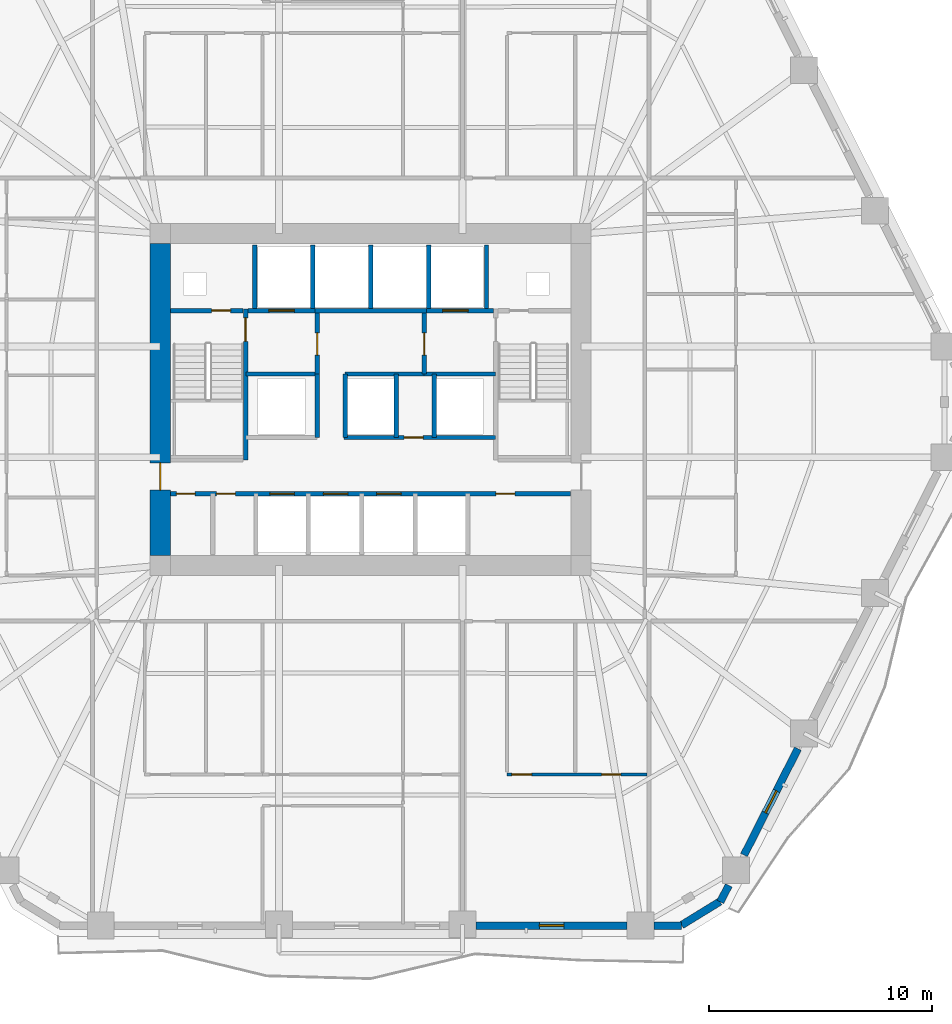
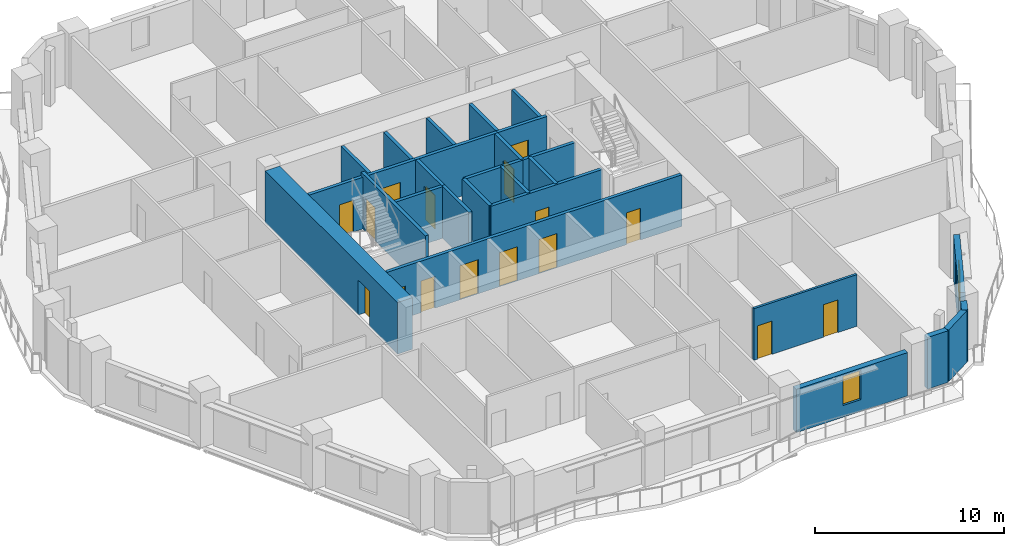
# One storey, part 5 of 14: 28 walls, 16 doors, 2 windows, 18 openings.
"""IFC4 building model written with IfcOpenShell, lengths in metres."""

from ifc_helpers import new_model, si_unit, direction, frame, frame_2d, origin, place, context, subcontext, project, spatial, rectangle, extrude, material, layer, layer_set, type_object, element, fill, save


model = new_model("IFC4")

# Units and contexts
model_context = context("Model", 3, precision=1e-05, world=origin(), true_north=direction((0.0, 1.0)))
body_context = subcontext(model_context, "Body", "Model", "MODEL_VIEW")
ifc_project = project(units=[si_unit("LENGTHUNIT", "METRE"), si_unit("AREAUNIT", "SQUARE_METRE"), si_unit("VOLUMEUNIT", "CUBIC_METRE"), si_unit("PLANEANGLEUNIT", "RADIAN"), si_unit("MASSUNIT", "GRAM", prefix="KILO")], contexts=[model_context])

# Site, building, storey
site_placement = place(None, origin())
site = spatial("IfcSite", under=ifc_project, at=site_placement, CompositionType="ELEMENT")
building_placement = place(site_placement, origin())
building = spatial("IfcBuilding", under=site, at=building_placement, Name="Cinnabar Lancet Tower", CompositionType="ELEMENT")
storey_placement = place(building_placement, frame((0.0, 0.0, 53.300048828125)))
storey = spatial("IfcBuildingStorey", under=building, at=storey_placement, Name="L13", CompositionType="ELEMENT", Elevation=53.300048828125)

# Wall, opening, door
ifc_material_1 = material(Name="Autoclaved aerated concrete blockwork", Category="masonry")
ifc_layer_1 = layer(ifc_material_1, 0.199951171875)
ifc_layer_set_1 = layer_set([ifc_layer_1], Name="Autoclaved aerated concrete blockwork")
wall_type_1 = type_object("IfcWallType", Name="ARC-WL-SHAFT-200", PredefinedType="PLUMBINGWALL", material=ifc_layer_set_1)
wall_1_placement = place(storey_placement, frame((23.405029296875, 29.89990234375, 0.0), z_axis=(0.0, 0.0, 1.0), x_axis=(1.0, 0.0, 0.0)))
wall_1 = element("IfcWall", 1, at=wall_1_placement, inside=storey, type_object=wall_type_1, Name="CW-NSH-W-L13", PredefinedType="PLUMBINGWALL", context=body_context, shape_type="SweptSolid", body=[
    extrude(rectangle(XDim=3.27001953125, YDim=0.199951171875, at=frame_2d((1.635009765625, 0.0))), origin(), (0.0, 0.0, 1.0), 3.329833984375),
])
opening_1_placement = place(wall_1_placement, frame((1.85009765625, 0.0, 0.0)))
opening_1 = element("IfcOpeningElement", 2, at=opening_1_placement, cuts=wall_1, Name="Opening PD-02", PredefinedType="OPENING", context=body_context, shape_type="SweptSolid", body=[
    extrude(rectangle(XDim=0.85009765625, YDim=2.050048828125, at=frame_2d((0.425048828125, 1.02490234375))), frame((0.0, 0.10986328125, 0.0), z_axis=(0.0, -1.0, 0.0), x_axis=(1.0, 0.0, 0.0)), (0.0, 0.0, 1.0), 0.219970703125),
])
ifc_material_2 = material(Name="Fire-rated steel riser access door", Category="steel")
door_type_1 = type_object("IfcDoorType", Name="ARC-DR-RISER", OperationType="NOTDEFINED", PredefinedType="DOOR", material=ifc_material_2)
door_1_placement = place(opening_1_placement, origin())
door_1 = element("IfcDoor", 3, at=door_1_placement, inside=storey, type_object=door_type_1, Name="L13 West Riser Access Door", OperationType="SINGLE_SWING_LEFT", OverallHeight=2.050048828125, OverallWidth=0.85009765625, PredefinedType="DOOR", context=body_context, shape_type="SweptSolid", body=[
    extrude(rectangle(XDim=0.85009765625, YDim=2.050048828125, at=frame_2d((0.425048828125, 1.02490234375))), frame((0.0, 0.02490234375, 0.0), z_axis=(0.0, -1.0, 0.0), x_axis=(1.0, 0.0, 0.0)), (0.0, 0.0, 1.0), 0.050048828125),
])
fill(opening_1, door_1)

wall_2_placement = place(storey_placement, frame((26.885009765625, 29.89990234375, 0.0), z_axis=(0.0, 0.0, 1.0), x_axis=(1.0, 0.0, 0.0)))
wall_2 = element("IfcWall", 4, at=wall_2_placement, inside=storey, type_object=wall_type_1, Name="CW-FL1-L13", PredefinedType="PLUMBINGWALL", context=body_context, shape_type="SweptSolid", body=[
    extrude(rectangle(XDim=3.014892578125, YDim=0.199951171875, at=frame_2d((1.50732421875, 0.0))), origin(), (0.0, 0.0, 1.0), 3.329833984375),
])
opening_2_placement = place(wall_2_placement, frame((0.93994140625, 0.0, 0.0)))
opening_2 = element("IfcOpeningElement", 5, at=opening_2_placement, cuts=wall_2, Name="Opening LD-02", PredefinedType="OPENING", context=body_context, shape_type="SweptSolid", body=[
    extrude(rectangle(XDim=1.14990234375, YDim=2.199951171875, at=frame_2d((0.574951171875, 1.10009765625))), frame((0.0, 0.10986328125, 0.0), z_axis=(0.0, -1.0, 0.0), x_axis=(1.0, 0.0, 0.0)), (0.0, 0.0, 1.0), 0.219970703125),
])
ifc_material_3 = material(Name="Fire-rated stainless steel firefighting lift landing door", Category="steel")
door_type_2 = type_object("IfcDoorType", Name="ARC-DR-LD-FIRE", OperationType="NOTDEFINED", PredefinedType="DOOR", material=ifc_material_3)
door_2_placement = place(opening_2_placement, origin())
door_2 = element("IfcDoor", 6, at=door_2_placement, inside=storey, type_object=door_type_2, Name="L13 Firefighting Lift FL-1 Landing Door", OperationType="DOUBLE_DOOR_SLIDING", OverallHeight=2.199951171875, OverallWidth=1.14990234375, PredefinedType="DOOR", context=body_context, shape_type="SweptSolid", body=[
    extrude(rectangle(XDim=1.14990234375, YDim=2.199951171875, at=frame_2d((0.574951171875, 1.10009765625))), frame((0.0, 0.02490234375, 0.0), z_axis=(0.0, -1.0, 0.0), x_axis=(1.0, 0.0, 0.0)), (0.0, 0.0, 1.0), 0.050048828125),
])
fill(opening_2, door_2)

# Wall
wall_3_placement = place(storey_placement, frame((29.89990234375, 29.89990234375, 0.0), z_axis=(0.0, 0.0, 1.0), x_axis=(1.0, 0.0, 0.0)))
element("IfcWall", 7, at=wall_3_placement, inside=storey, type_object=wall_type_1, Name="CW-PL78-L13", PredefinedType="PLUMBINGWALL", context=body_context, shape_type="SweptSolid", body=[
    extrude(rectangle(XDim=5.0, YDim=0.199951171875, at=frame_2d((2.5, 0.0))), origin(), (0.0, 0.0, 1.0), 3.329833984375),
])

# Wall, opening, door
wall_4_placement = place(storey_placement, frame((34.89990234375, 29.89990234375, 0.0), z_axis=(0.0, 0.0, 1.0), x_axis=(1.0, 0.0, 0.0)))
wall_4 = element("IfcWall", 8, at=wall_4_placement, inside=storey, type_object=wall_type_1, Name="CW-FL2-L13", PredefinedType="PLUMBINGWALL", context=body_context, shape_type="SweptSolid", body=[
    extrude(rectangle(XDim=3.01513671875, YDim=0.199951171875, at=frame_2d((1.507568359375, 0.0))), origin(), (0.0, 0.0, 1.0), 3.329833984375),
])
opening_3_placement = place(wall_4_placement, frame((0.72509765625, 0.0, 0.0)))
opening_3 = element("IfcOpeningElement", 9, at=opening_3_placement, cuts=wall_4, Name="Opening LD-02", PredefinedType="OPENING", context=body_context, shape_type="SweptSolid", body=[
    extrude(rectangle(XDim=1.14990234375, YDim=2.199951171875, at=frame_2d((0.574951171875, 1.10009765625))), frame((0.0, 0.10986328125, 0.0), z_axis=(0.0, -1.0, 0.0), x_axis=(1.0, 0.0, 0.0)), (0.0, 0.0, 1.0), 0.219970703125),
])
door_3_placement = place(opening_3_placement, origin())
door_3 = element("IfcDoor", 10, at=door_3_placement, inside=storey, type_object=door_type_2, Name="L13 Firefighting Lift FL-2 Landing Door", OperationType="DOUBLE_DOOR_SLIDING", OverallHeight=2.199951171875, OverallWidth=1.14990234375, PredefinedType="DOOR", context=body_context, shape_type="SweptSolid", body=[
    extrude(rectangle(XDim=1.14990234375, YDim=2.199951171875, at=frame_2d((0.574951171875, 1.10009765625))), frame((0.0, 0.02490234375, 0.0), z_axis=(0.0, -1.0, 0.0), x_axis=(1.0, 0.0, 0.0)), (0.0, 0.0, 1.0), 0.050048828125),
])
fill(opening_3, door_3)

# Walls
for number, where, z_axis, x_axis, name in (
    (11, (27.199951171875, 30.0, 0.0), (0.0, 0.0, 1.0), (0.0, 1.0, 0.0), "CW-NSH-D1-L13"),
    (12, (29.800048828125, 30.0, 0.0), (0.0, 0.0, 1.0), (0.0, 1.0, 0.0), "CW-NSH-D2-L13"),
    (13, (32.39990234375, 30.0, 0.0), (0.0, 0.0, 1.0), (0.0, 1.0, 0.0), "CW-NSH-D3-L13"),
    (14, (35.0, 30.0, 0.0), (0.0, 0.0, 1.0), (0.0, 1.0, 0.0), "CW-NSH-D4-L13"),
    (15, (37.60009765625, 30.0, 0.0), (0.0, 0.0, 1.0), (0.0, 1.0, 0.0), "CW-NSH-D5-L13"),
):
    element("IfcWall", number, at=place(storey_placement, frame(where, z_axis=z_axis, x_axis=x_axis)), inside=storey, type_object=wall_type_1, Name=name, PredefinedType="PLUMBINGWALL", context=body_context, shape_type="SweptSolid", body=[
        extrude(rectangle(XDim=2.85009765625, YDim=0.199951171875, at=frame_2d((1.425048828125, 0.0))), origin(), (0.0, 0.0, 1.0), 3.329833984375),
    ])

# Wall, opening, door
wall_5_placement = place(storey_placement, frame((30.0, 27.050048828125, 0.0), z_axis=(0.0, 0.0, 1.0), x_axis=(0.0, 1.0, 0.0)))
wall_5 = element("IfcWall", 16, at=wall_5_placement, inside=storey, type_object=wall_type_1, Name="CW-FF1E-L13", PredefinedType="PLUMBINGWALL", context=body_context, shape_type="SweptSolid", body=[
    extrude(rectangle(XDim=2.75, YDim=0.199951171875, at=frame_2d((1.375, 0.0))), origin(), (0.0, 0.0, 1.0), 3.329833984375),
])
opening_4_placement = place(wall_5_placement, frame((0.85009765625, 0.0, 0.0)))
opening_4 = element("IfcOpeningElement", 17, at=opening_4_placement, cuts=wall_5, Name="Opening FD-01", PredefinedType="OPENING", context=body_context, shape_type="SweptSolid", body=[
    extrude(rectangle(XDim=1.0, YDim=2.14990234375, at=frame_2d((0.5, 1.074951171875))), frame((0.0, 0.10986328125, 0.0), z_axis=(0.0, -1.0, 0.0), x_axis=(1.0, 0.0, 0.0)), (0.0, 0.0, 1.0), 0.219970703125),
])
ifc_material_4 = material(Name="Fire-rated timber-core lobby door", Category="wood")
door_type_3 = type_object("IfcDoorType", Name="ARC-DR-FFAL", OperationType="NOTDEFINED", PredefinedType="DOOR", material=ifc_material_4)
door_4_placement = place(opening_4_placement, origin())
door_4 = element("IfcDoor", 18, at=door_4_placement, inside=storey, type_object=door_type_3, Name="L13 FFAL-1 Lobby Fire Door", OperationType="SINGLE_SWING_RIGHT", OverallHeight=2.14990234375, OverallWidth=1.0, PredefinedType="DOOR", context=body_context, shape_type="SweptSolid", body=[
    extrude(rectangle(XDim=1.0, YDim=2.14990234375, at=frame_2d((0.5, 1.074951171875))), frame((0.0, 0.02490234375, 0.0), z_axis=(0.0, -1.0, 0.0), x_axis=(1.0, 0.0, 0.0)), (0.0, 0.0, 1.0), 0.050048828125),
])
fill(opening_4, door_4)

# Wall
wall_6_placement = place(storey_placement, frame((26.800048828125, 27.050048828125, 0.0), z_axis=(0.0, 0.0, 1.0), x_axis=(1.0, 0.0, 0.0)))
element("IfcWall", 19, at=wall_6_placement, inside=storey, type_object=wall_type_1, Name="CW-FF1S-L13", PredefinedType="PLUMBINGWALL", context=body_context, shape_type="SweptSolid", body=[
    extrude(rectangle(XDim=3.199951171875, YDim=0.199951171875, at=frame_2d((1.60009765625, 0.0))), origin(), (0.0, 0.0, 1.0), 3.329833984375),
])

# Wall, opening, door
wall_7_placement = place(storey_placement, frame((34.800048828125, 27.050048828125, 0.0), z_axis=(0.0, 0.0, 1.0), x_axis=(0.0, 1.0, 0.0)))
wall_7 = element("IfcWall", 20, at=wall_7_placement, inside=storey, type_object=wall_type_1, Name="CW-FF2W-L13", PredefinedType="PLUMBINGWALL", context=body_context, shape_type="SweptSolid", body=[
    extrude(rectangle(XDim=2.75, YDim=0.199951171875, at=frame_2d((1.375, 0.0))), origin(), (0.0, 0.0, 1.0), 3.329833984375),
])
opening_5_placement = place(wall_7_placement, frame((0.85009765625, 0.0, 0.0)))
opening_5 = element("IfcOpeningElement", 21, at=opening_5_placement, cuts=wall_7, Name="Opening FD-01", PredefinedType="OPENING", context=body_context, shape_type="SweptSolid", body=[
    extrude(rectangle(XDim=1.0, YDim=2.14990234375, at=frame_2d((0.5, 1.074951171875))), frame((0.0, 0.10986328125, 0.0), z_axis=(0.0, -1.0, 0.0), x_axis=(1.0, 0.0, 0.0)), (0.0, 0.0, 1.0), 0.219970703125),
])
door_5_placement = place(opening_5_placement, origin())
door_5 = element("IfcDoor", 22, at=door_5_placement, inside=storey, type_object=door_type_3, Name="L13 FFAL-2 Lobby Fire Door", OperationType="SINGLE_SWING_LEFT", OverallHeight=2.14990234375, OverallWidth=1.0, PredefinedType="DOOR", context=body_context, shape_type="SweptSolid", body=[
    extrude(rectangle(XDim=1.0, YDim=2.14990234375, at=frame_2d((0.5, 1.074951171875))), frame((0.0, 0.02490234375, 0.0), z_axis=(0.0, -1.0, 0.0), x_axis=(1.0, 0.0, 0.0)), (0.0, 0.0, 1.0), 0.050048828125),
])
fill(opening_5, door_5)

# Walls
wall_8_placement = place(storey_placement, frame((34.800048828125, 27.050048828125, 0.0), z_axis=(0.0, 0.0, 1.0), x_axis=(1.0, 0.0, 0.0)))
element("IfcWall", 23, at=wall_8_placement, inside=storey, type_object=wall_type_1, Name="CW-FF2S-L13", PredefinedType="PLUMBINGWALL", context=body_context, shape_type="SweptSolid", body=[
    extrude(rectangle(XDim=3.199951171875, YDim=0.199951171875, at=frame_2d((1.60009765625, 0.0))), origin(), (0.0, 0.0, 1.0), 3.329833984375),
])
wall_9_placement = place(storey_placement, frame((30.0, 24.199951171875, 0.0), z_axis=(0.0, 0.0, 1.0), x_axis=(0.0, 1.0, 0.0)))
element("IfcWall", 24, at=wall_9_placement, inside=storey, type_object=wall_type_1, Name="CW-PL5E-L13", PredefinedType="PLUMBINGWALL", context=body_context, shape_type="SweptSolid", body=[
    extrude(rectangle(XDim=2.85009765625, YDim=0.199951171875, at=frame_2d((1.425048828125, 0.0))), origin(), (0.0, 0.0, 1.0), 3.329833984375),
])

# Wall, opening, door
wall_10_placement = place(storey_placement, frame((31.199951171875, 24.199951171875, 0.0), z_axis=(0.0, 0.0, 1.0), x_axis=(1.0, 0.0, 0.0)))
wall_10 = element("IfcWall", 25, at=wall_10_placement, inside=storey, type_object=wall_type_1, Name="CW-PL96S-L13", PredefinedType="PLUMBINGWALL", context=body_context, shape_type="SweptSolid", body=[
    extrude(rectangle(XDim=6.800048828125, YDim=0.199951171875, at=frame_2d((3.39990234375, 0.0))), origin(), (0.0, 0.0, 1.0), 3.329833984375),
])
opening_6_placement = place(wall_10_placement, frame((2.699951171875, 0.0, 0.0)))
opening_6 = element("IfcOpeningElement", 26, at=opening_6_placement, cuts=wall_10, Name="Opening PD-02", PredefinedType="OPENING", context=body_context, shape_type="SweptSolid", body=[
    extrude(rectangle(XDim=0.85009765625, YDim=2.050048828125, at=frame_2d((0.425048828125, 1.02490234375))), frame((0.0, 0.10986328125, 0.0), z_axis=(0.0, -1.0, 0.0), x_axis=(1.0, 0.0, 0.0)), (0.0, 0.0, 1.0), 0.219970703125),
])
door_6_placement = place(opening_6_placement, origin())
door_6 = element("IfcDoor", 27, at=door_6_placement, inside=storey, type_object=door_type_1, Name="L13 BMS Closet Door", OperationType="SINGLE_SWING_LEFT", OverallHeight=2.050048828125, OverallWidth=0.85009765625, PredefinedType="DOOR", context=body_context, shape_type="SweptSolid", body=[
    extrude(rectangle(XDim=0.85009765625, YDim=2.050048828125, at=frame_2d((0.425048828125, 1.02490234375))), frame((0.0, 0.02490234375, 0.0), z_axis=(0.0, -1.0, 0.0), x_axis=(1.0, 0.0, 0.0)), (0.0, 0.0, 1.0), 0.050048828125),
])
fill(opening_6, door_6)

# Walls
for number, where, z_axis, x_axis, name in (
    (28, (31.25, 24.199951171875, 0.0), (0.0, 0.0, 1.0), (0.0, 1.0, 0.0), "CW-PL9W-L13"),
    (29, (33.550048828125, 24.199951171875, 0.0), (0.0, 0.0, 1.0), (0.0, 1.0, 0.0), "CW-PL9E-L13"),
    (30, (35.25, 24.199951171875, 0.0), (0.0, 0.0, 1.0), (0.0, 1.0, 0.0), "CW-PL6W-L13"),
):
    element("IfcWall", number, at=place(storey_placement, frame(where, z_axis=z_axis, x_axis=x_axis)), inside=storey, type_object=wall_type_1, Name=name, PredefinedType="PLUMBINGWALL", context=body_context, shape_type="SweptSolid", body=[
        extrude(rectangle(XDim=2.85009765625, YDim=0.199951171875, at=frame_2d((1.425048828125, 0.0))), origin(), (0.0, 0.0, 1.0), 3.329833984375),
    ])
wall_11_placement = place(storey_placement, frame((31.25, 27.050048828125, 0.0), z_axis=(0.0, 0.0, 1.0), x_axis=(1.0, 0.0, 0.0)))
element("IfcWall", 31, at=wall_11_placement, inside=storey, type_object=wall_type_1, Name="CW-PL96N-L13", PredefinedType="PLUMBINGWALL", context=body_context, shape_type="SweptSolid", body=[
    extrude(rectangle(XDim=3.550048828125, YDim=0.199951171875, at=frame_2d((1.77490234375, 0.0))), origin(), (0.0, 0.0, 1.0), 3.329833984375),
])

# Wall, openings, doors
wall_12_placement = place(storey_placement, frame((23.419921875, 21.679931640625, 0.0), z_axis=(0.0, 0.0, 1.0), x_axis=(1.0, 0.0, 0.0)))
wall_12 = element("IfcWall", 32, at=wall_12_placement, inside=storey, type_object=wall_type_1, Name="CW-SBANDN-L13", PredefinedType="PLUMBINGWALL", context=body_context, shape_type="SweptSolid", body=[
    extrude(rectangle(XDim=17.9599609375, YDim=0.199951171875, at=frame_2d((8.97998046875, 0.0))), origin(), (0.0, 0.0, 1.0), 3.329833984375),
])
opening_7_placement = place(wall_12_placement, frame((4.449951171875, 0.0, 0.0)))
opening_7 = element("IfcOpeningElement", 33, at=opening_7_placement, cuts=wall_12, Name="Opening LD-01", PredefinedType="OPENING", context=body_context, shape_type="SweptSolid", body=[
    extrude(rectangle(XDim=1.10009765625, YDim=2.199951171875, at=frame_2d((0.550048828125, 1.10009765625))), frame((0.0, 0.10986328125, 0.0), z_axis=(0.0, -1.0, 0.0), x_axis=(1.0, 0.0, 0.0)), (0.0, 0.0, 1.0), 0.219970703125),
])
opening_8_placement = place(wall_12_placement, frame((6.85009765625, 0.0, 0.0)))
opening_8 = element("IfcOpeningElement", 34, at=opening_8_placement, cuts=wall_12, Name="Opening LD-01", PredefinedType="OPENING", context=body_context, shape_type="SweptSolid", body=[
    extrude(rectangle(XDim=1.10009765625, YDim=2.199951171875, at=frame_2d((0.550048828125, 1.10009765625))), frame((0.0, 0.10986328125, 0.0), z_axis=(0.0, -1.0, 0.0), x_axis=(1.0, 0.0, 0.0)), (0.0, 0.0, 1.0), 0.219970703125),
])
opening_9_placement = place(wall_12_placement, frame((9.25, 0.0, 0.0)))
opening_9 = element("IfcOpeningElement", 35, at=opening_9_placement, cuts=wall_12, Name="Opening LD-01", PredefinedType="OPENING", context=body_context, shape_type="SweptSolid", body=[
    extrude(rectangle(XDim=1.10009765625, YDim=2.199951171875, at=frame_2d((0.550048828125, 1.10009765625))), frame((0.0, 0.10986328125, 0.0), z_axis=(0.0, -1.0, 0.0), x_axis=(1.0, 0.0, 0.0)), (0.0, 0.0, 1.0), 0.219970703125),
])
opening_10_placement = place(wall_12_placement, frame((0.25, 0.0, 0.0)))
opening_10 = element("IfcOpeningElement", 36, at=opening_10_placement, cuts=wall_12, Name="Opening PD-02", PredefinedType="OPENING", context=body_context, shape_type="SweptSolid", body=[
    extrude(rectangle(XDim=0.85009765625, YDim=2.050048828125, at=frame_2d((0.425048828125, 1.02490234375))), frame((0.0, 0.10986328125, 0.0), z_axis=(0.0, -1.0, 0.0), x_axis=(1.0, 0.0, 0.0)), (0.0, 0.0, 1.0), 0.219970703125),
])
opening_11_placement = place(wall_12_placement, frame((2.050048828125, 0.0, 0.0)))
opening_11 = element("IfcOpeningElement", 37, at=opening_11_placement, cuts=wall_12, Name="Opening PD-02", PredefinedType="OPENING", context=body_context, shape_type="SweptSolid", body=[
    extrude(rectangle(XDim=0.85009765625, YDim=2.050048828125, at=frame_2d((0.425048828125, 1.02490234375))), frame((0.0, 0.10986328125, 0.0), z_axis=(0.0, -1.0, 0.0), x_axis=(1.0, 0.0, 0.0)), (0.0, 0.0, 1.0), 0.219970703125),
])
opening_12_placement = place(wall_12_placement, frame((14.60009765625, 0.0, 0.0)))
opening_12 = element("IfcOpeningElement", 38, at=opening_12_placement, cuts=wall_12, Name="Opening PD-02", PredefinedType="OPENING", context=body_context, shape_type="SweptSolid", body=[
    extrude(rectangle(XDim=0.85009765625, YDim=2.050048828125, at=frame_2d((0.425048828125, 1.02490234375))), frame((0.0, 0.10986328125, 0.0), z_axis=(0.0, -1.0, 0.0), x_axis=(1.0, 0.0, 0.0)), (0.0, 0.0, 1.0), 0.219970703125),
])
ifc_material_5 = material(Name="Brushed stainless steel sliding lift door", Category="steel")
door_type_4 = type_object("IfcDoorType", Name="ARC-DR-LD-PASS", OperationType="NOTDEFINED", PredefinedType="DOOR", material=ifc_material_5)
door_7_placement = place(opening_7_placement, origin())
door_7 = element("IfcDoor", 39, at=door_7_placement, inside=storey, type_object=door_type_4, Name="L13 Lift PL-1 Landing Door", OperationType="DOUBLE_DOOR_SLIDING", OverallHeight=2.199951171875, OverallWidth=1.10009765625, PredefinedType="DOOR", context=body_context, shape_type="SweptSolid", body=[
    extrude(rectangle(XDim=1.10009765625, YDim=2.199951171875, at=frame_2d((0.550048828125, 1.10009765625))), frame((0.0, 0.02490234375, 0.0), z_axis=(0.0, -1.0, 0.0), x_axis=(1.0, 0.0, 0.0)), (0.0, 0.0, 1.0), 0.050048828125),
])
fill(opening_7, door_7)
door_8_placement = place(opening_8_placement, origin())
door_8 = element("IfcDoor", 40, at=door_8_placement, inside=storey, type_object=door_type_4, Name="L13 Lift PL-2 Landing Door", OperationType="DOUBLE_DOOR_SLIDING", OverallHeight=2.199951171875, OverallWidth=1.10009765625, PredefinedType="DOOR", context=body_context, shape_type="SweptSolid", body=[
    extrude(rectangle(XDim=1.10009765625, YDim=2.199951171875, at=frame_2d((0.550048828125, 1.10009765625))), frame((0.0, 0.02490234375, 0.0), z_axis=(0.0, -1.0, 0.0), x_axis=(1.0, 0.0, 0.0)), (0.0, 0.0, 1.0), 0.050048828125),
])
fill(opening_8, door_8)
door_9_placement = place(opening_9_placement, origin())
door_9 = element("IfcDoor", 41, at=door_9_placement, inside=storey, type_object=door_type_4, Name="L13 Lift PL-3 Landing Door", OperationType="DOUBLE_DOOR_SLIDING", OverallHeight=2.199951171875, OverallWidth=1.10009765625, PredefinedType="DOOR", context=body_context, shape_type="SweptSolid", body=[
    extrude(rectangle(XDim=1.10009765625, YDim=2.199951171875, at=frame_2d((0.550048828125, 1.10009765625))), frame((0.0, 0.02490234375, 0.0), z_axis=(0.0, -1.0, 0.0), x_axis=(1.0, 0.0, 0.0)), (0.0, 0.0, 1.0), 0.050048828125),
])
fill(opening_9, door_9)
door_10_placement = place(opening_10_placement, origin())
door_10 = element("IfcDoor", 42, at=door_10_placement, inside=storey, type_object=door_type_1, Name="DR-L13-SW1", OperationType="SINGLE_SWING_LEFT", OverallHeight=2.050048828125, OverallWidth=0.85009765625, PredefinedType="DOOR", context=body_context, shape_type="SweptSolid", body=[
    extrude(rectangle(XDim=0.85009765625, YDim=2.050048828125, at=frame_2d((0.425048828125, 1.02490234375))), frame((0.0, 0.02490234375, 0.0), z_axis=(0.0, -1.0, 0.0), x_axis=(1.0, 0.0, 0.0)), (0.0, 0.0, 1.0), 0.050048828125),
])
fill(opening_10, door_10)
door_11_placement = place(opening_11_placement, origin())
door_11 = element("IfcDoor", 43, at=door_11_placement, inside=storey, type_object=door_type_1, Name="DR-L13-SW2", OperationType="SINGLE_SWING_RIGHT", OverallHeight=2.050048828125, OverallWidth=0.85009765625, PredefinedType="DOOR", context=body_context, shape_type="SweptSolid", body=[
    extrude(rectangle(XDim=0.85009765625, YDim=2.050048828125, at=frame_2d((0.425048828125, 1.02490234375))), frame((0.0, 0.02490234375, 0.0), z_axis=(0.0, -1.0, 0.0), x_axis=(1.0, 0.0, 0.0)), (0.0, 0.0, 1.0), 0.050048828125),
])
fill(opening_11, door_11)
door_12_placement = place(opening_12_placement, origin())
door_12 = element("IfcDoor", 44, at=door_12_placement, inside=storey, type_object=door_type_1, Name="DR-L13-SE1", OperationType="SINGLE_SWING_LEFT", OverallHeight=2.050048828125, OverallWidth=0.85009765625, PredefinedType="DOOR", context=body_context, shape_type="SweptSolid", body=[
    extrude(rectangle(XDim=0.85009765625, YDim=2.050048828125, at=frame_2d((0.425048828125, 1.02490234375))), frame((0.0, 0.02490234375, 0.0), z_axis=(0.0, -1.0, 0.0), x_axis=(1.0, 0.0, 0.0)), (0.0, 0.0, 1.0), 0.050048828125),
])
fill(opening_12, door_12)

ifc_material_6 = material(Name="Moisture-resistant cement-board plumbing wall", Category="masonry")
ifc_layer_2 = layer(ifc_material_6, 0.139892578125)
ifc_layer_set_2 = layer_set([ifc_layer_2], Name="Moisture-resistant cement-board plumbing wall")
wall_type_2 = type_object("IfcWallType", Name="ARC-WL-WET-140", PredefinedType="PLUMBINGWALL", material=ifc_layer_set_2)
wall_13_placement = place(storey_placement, frame((38.52197265625, 9.068115234375, 0.0), z_axis=(0.0, 0.0, 1.0), x_axis=(1.0, 0.0, 0.0)))
wall_13 = element("IfcWall", 45, at=wall_13_placement, inside=storey, type_object=wall_type_2, Name="UW-L13-S02-SPL", PredefinedType="PLUMBINGWALL", context=body_context, shape_type="SweptSolid", body=[
    extrude(rectangle(XDim=6.282958984375, YDim=0.139892578125, at=frame_2d((3.1416015625, 0.0))), origin(), (0.0, 0.0, 1.0), 3.329833984375),
])
opening_13_placement = place(wall_13_placement, frame((4.2470703125, 0.0, 0.0)))
opening_13 = element("IfcOpeningElement", 46, at=opening_13_placement, cuts=wall_13, Name="Opening BD-01", PredefinedType="OPENING", context=body_context, shape_type="SweptSolid", body=[
    extrude(rectangle(XDim=0.860107421875, YDim=2.10009765625, at=frame_2d((0.43017578125, 1.050048828125))), frame((0.0, 0.079833984375, 0.0), z_axis=(0.0, -1.0, 0.0), x_axis=(1.0, 0.0, 0.0)), (0.0, 0.0, 1.0), 0.159912109375),
])
opening_14_placement = place(wall_13_placement, frame((0.219970703125, 0.0, 0.0)))
opening_14 = element("IfcOpeningElement", 47, at=opening_14_placement, cuts=wall_13, Name="Opening RD-02", PredefinedType="OPENING", context=body_context, shape_type="SweptSolid", body=[
    extrude(rectangle(XDim=0.8798828125, YDim=2.14990234375, at=frame_2d((0.43994140625, 1.074951171875))), frame((0.0, 0.079833984375, 0.0), z_axis=(0.0, -1.0, 0.0), x_axis=(1.0, 0.0, 0.0)), (0.0, 0.0, 1.0), 0.159912109375),
])
ifc_material_7 = material(Name="Moisture-resistant timber bathroom door", Category="wood")
door_type_5 = type_object("IfcDoorType", Name="ARC-DR-BATH", OperationType="NOTDEFINED", PredefinedType="DOOR", material=ifc_material_7)
door_13_placement = place(opening_13_placement, origin())
door_13 = element("IfcDoor", 48, at=door_13_placement, inside=storey, type_object=door_type_5, Name="DR-L13-S02-BTH", OperationType="SINGLE_SWING_RIGHT", OverallHeight=2.10009765625, OverallWidth=0.860107421875, PredefinedType="DOOR", context=body_context, shape_type="SweptSolid", body=[
    extrude(rectangle(XDim=0.860107421875, YDim=2.10009765625, at=frame_2d((0.43017578125, 1.050048828125))), frame((0.0, 0.02490234375, 0.0), z_axis=(0.0, -1.0, 0.0), x_axis=(1.0, 0.0, 0.0)), (0.0, 0.0, 1.0), 0.050048828125),
])
fill(opening_13, door_13)
ifc_material_8 = material(Name="Engineered timber study door", Category="wood")
door_type_6 = type_object("IfcDoorType", Name="ARC-DR-STUDY", OperationType="NOTDEFINED", PredefinedType="DOOR", material=ifc_material_8)
door_14_placement = place(opening_14_placement, origin())
door_14 = element("IfcDoor", 49, at=door_14_placement, inside=storey, type_object=door_type_6, Name="DR-L13-S02-KIT", OperationType="SINGLE_SWING_LEFT", OverallHeight=2.14990234375, OverallWidth=0.8798828125, PredefinedType="DOOR", context=body_context, shape_type="SweptSolid", body=[
    extrude(rectangle(XDim=0.8798828125, YDim=2.14990234375, at=frame_2d((0.43994140625, 1.074951171875))), frame((0.0, 0.02490234375, 0.0), z_axis=(0.0, -1.0, 0.0), x_axis=(1.0, 0.0, 0.0)), (0.0, 0.0, 1.0), 0.050048828125),
])
fill(opening_14, door_14)

# Wall
ifc_material_9 = material(Name="Cinnabar red clay brick", Category="masonry")
ifc_layer_3 = layer(ifc_material_9, 0.340087890625)
ifc_layer_set_3 = layer_set([ifc_layer_3], Name="Cinnabar red clay brick")
wall_type_3 = type_object("IfcWallType", Name="ENV-WL-BRK-RED-340", PredefinedType="STANDARD", material=ifc_layer_set_3)
wall_14_placement = place(storey_placement, frame((46.361083984375, 2.304931640625, 0.0), z_axis=(0.0, 0.0, 1.0), x_axis=(0.851816122478, 0.523840904748, 0.0)))
element("IfcWall", 50, at=wall_14_placement, inside=storey, type_object=wall_type_3, Name="L13 Chamfered Corner Brick Pier 2.1", PredefinedType="STANDARD", context=body_context, shape_type="SweptSolid", body=[
    extrude(rectangle(XDim=2.01806640625, YDim=0.340087890625, at=frame_2d((1.009033203125, 0.0))), origin(), (0.0, 0.0, 1.0), 3.329833984375),
])

# Wall, opening, window
wall_15_placement = place(storey_placement, frame((37.1259765625, 2.280029296875, 0.0), z_axis=(0.0, 0.0, 1.0), x_axis=(1.0, 0.0, 0.0)))
wall_15 = element("IfcWall", 51, at=wall_15_placement, inside=storey, type_object=wall_type_3, Name="L13 Face 1 Masonry Bay Wall 4", PredefinedType="STANDARD", context=body_context, shape_type="SweptSolid", body=[
    extrude(rectangle(XDim=6.787109375, YDim=0.340087890625, at=frame_2d((3.3935546875, 0.0))), origin(), (0.0, 0.0, 1.0), 2.786865234375),
])
opening_15_placement = place(wall_15_placement, frame((2.843017578125, 0.0, 0.75)))
opening_15 = element("IfcOpeningElement", 52, at=opening_15_placement, cuts=wall_15, Name="Opening WN-04", PredefinedType="OPENING", context=body_context, shape_type="SweptSolid", body=[
    extrude(rectangle(XDim=1.10009765625, YDim=1.886962890625, at=frame_2d((0.550048828125, 0.943359375))), frame((0.0, 0.179931640625, 0.0), z_axis=(0.0, -1.0, 0.0), x_axis=(1.0, 0.0, 0.0)), (0.0, 0.0, 1.0), 0.360107421875),
])
ifc_material_10 = material(Name="Thermally broken bronze-anodized aluminium tall lancet window", Category="aluminium")
window_type = type_object("IfcWindowType", Name="ENV-WN-LANCET-1100", PartitioningType="SINGLE_PANEL", PredefinedType="WINDOW", material=ifc_material_10)
window_1_placement = place(opening_15_placement, origin())
window_1 = element("IfcWindow", 53, at=window_1_placement, inside=storey, type_object=window_type, Name="L13 Face 1 Gothic Lancet Window 4", OverallHeight=1.886962890625, OverallWidth=1.10009765625, PartitioningType="SINGLE_PANEL", PredefinedType="WINDOW", context=body_context, shape_type="SweptSolid", body=[
    extrude(rectangle(XDim=1.10009765625, YDim=1.886962890625, at=frame_2d((0.550048828125, 0.943359375))), frame((0.0, 0.030029296875, 0.0), z_axis=(0.0, -1.0, 0.0), x_axis=(1.0, 0.0, 0.0)), (0.0, 0.0, 1.0), 0.06005859375),
])
fill(opening_15, window_1)

# Walls
wall_16_placement = place(storey_placement, frame((45.12109375, 2.280029296875, 0.0), z_axis=(0.0, 0.0, 1.0), x_axis=(1.0, 0.0, 0.0)))
element("IfcWall", 54, at=wall_16_placement, inside=storey, type_object=wall_type_3, Name="L13 Face 1 Masonry Bay Wall 5", PredefinedType="STANDARD", context=body_context, shape_type="SweptSolid", body=[
    extrude(rectangle(XDim=1.244873046875, YDim=0.340087890625, at=frame_2d((0.62255859375, 0.0))), origin(), (0.0, 0.0, 1.0), 3.329833984375),
])
wall_17_placement = place(storey_placement, frame((48.10009765625, 3.345947265625, 0.0), z_axis=(0.0, 0.0, 1.0), x_axis=(0.45187807258, 0.892079709175, 0.0)))
element("IfcWall", 55, at=wall_17_placement, inside=storey, type_object=wall_type_3, Name="L13 Face 2 Masonry Bay Wall 1", PredefinedType="STANDARD", context=body_context, shape_type="SweptSolid", body=[
    extrude(rectangle(XDim=0.83642578125, YDim=0.340087890625, at=frame_2d((0.418212890625, 0.0))), origin(), (0.0, 0.0, 1.0), 3.329833984375),
])

# Wall, opening, window
wall_18_placement = place(storey_placement, frame((49.166015625, 5.4541015625, 0.0), z_axis=(0.0, 0.0, 1.0), x_axis=(0.451697561555, 0.892171123095, 0.0)))
wall_18 = element("IfcWall", 56, at=wall_18_placement, inside=storey, type_object=wall_type_3, Name="L13 Face 2 Masonry Bay Wall 2", PredefinedType="STANDARD", context=body_context, shape_type="SweptSolid", body=[
    extrude(rectangle(XDim=5.350830078125, YDim=0.340087890625, at=frame_2d((2.67529296875, 0.0))), origin(), (0.0, 0.0, 1.0), 2.786865234375),
])
opening_16_placement = place(wall_18_placement, frame((2.125, 0.0, 0.75)))
opening_16 = element("IfcOpeningElement", 57, at=opening_16_placement, cuts=wall_18, Name="Opening WN-04", PredefinedType="OPENING", context=body_context, shape_type="SweptSolid", body=[
    extrude(rectangle(XDim=1.10009765625, YDim=1.886962890625, at=frame_2d((0.550048828125, 0.943359375))), frame((0.0, 0.179931640625, 0.0), z_axis=(0.0, -1.0, 0.0), x_axis=(1.0, 0.0, 0.0)), (0.0, 0.0, 1.0), 0.360107421875),
])
window_2_placement = place(opening_16_placement, origin())
window_2 = element("IfcWindow", 58, at=window_2_placement, inside=storey, type_object=window_type, Name="L13 Face 2 Gothic Lancet Window 2", OverallHeight=1.886962890625, OverallWidth=1.10009765625, PartitioningType="SINGLE_PANEL", PredefinedType="WINDOW", context=body_context, shape_type="SweptSolid", body=[
    extrude(rectangle(XDim=1.10009765625, YDim=1.886962890625, at=frame_2d((0.550048828125, 0.943359375))), frame((0.0, 0.030029296875, 0.0), z_axis=(0.0, -1.0, 0.0), x_axis=(1.0, 0.0, 0.0)), (0.0, 0.0, 1.0), 0.06005859375),
])
fill(opening_16, window_2)

# Wall, opening, door
ifc_material_11 = material(Name="Concrete C80/95", Category="concrete")
ifc_layer_4 = layer(ifc_material_11, 0.89990234375)
ifc_layer_set_4 = layer_set([ifc_layer_4], Name="Concrete C80/95")
wall_type_4 = type_object("IfcWallType", Name="STR-WL-CORE-900", PredefinedType="SHEAR", material=ifc_layer_set_4)
wall_19_placement = place(storey_placement, frame((22.949951171875, 18.89990234375, 0.0), z_axis=(0.0, 0.0, 1.0), x_axis=(0.0, 1.0, 0.0)))
wall_19 = element("IfcWall", 59, at=wall_19_placement, inside=storey, type_object=wall_type_4, Name="L13 Core Shear Wall W", PredefinedType="SHEAR", context=body_context, shape_type="SweptSolid", body=[
    extrude(rectangle(XDim=14.0, YDim=0.89990234375, at=frame_2d((7.0, 0.0))), origin(), (0.0, 0.0, 1.0), 3.329833984375),
])
opening_17_placement = place(wall_19_placement, frame((2.93994140625, 0.0, 0.0)))
opening_17 = element("IfcOpeningElement", 60, at=opening_17_placement, cuts=wall_19, Name="Opening FD-02", PredefinedType="OPENING", context=body_context, shape_type="SweptSolid", body=[
    extrude(rectangle(XDim=1.219970703125, YDim=2.25, at=frame_2d((0.60986328125, 1.125))), frame((0.0, 0.4599609375, 0.0), z_axis=(0.0, -1.0, 0.0), x_axis=(1.0, 0.0, 0.0)), (0.0, 0.0, 1.0), 0.919921875),
])
ifc_material_12 = material(Name="Fire-rated double-vision core portal door", Category="wood")
door_type_7 = type_object("IfcDoorType", Name="ARC-DR-CPORT", OperationType="NOTDEFINED", PredefinedType="DOOR", material=ifc_material_12)
door_15_placement = place(opening_17_placement, origin())
door_15 = element("IfcDoor", 61, at=door_15_placement, inside=storey, type_object=door_type_7, Name="L13 West Core Lobby Fire Door", OperationType="SINGLE_SWING_RIGHT", OverallHeight=2.25, OverallWidth=1.219970703125, PredefinedType="DOOR", context=body_context, shape_type="SweptSolid", body=[
    extrude(rectangle(XDim=1.219970703125, YDim=2.25, at=frame_2d((0.60986328125, 1.125))), frame((0.0, 0.02490234375, 0.0), z_axis=(0.0, -1.0, 0.0), x_axis=(1.0, 0.0, 0.0)), (0.0, 0.0, 1.0), 0.050048828125),
])
fill(opening_17, door_15)

ifc_material_13 = material(Name="Concrete C50/60", Category="concrete")
ifc_layer_5 = layer(ifc_material_13, 0.199951171875)
ifc_layer_set_5 = layer_set([ifc_layer_5], Name="Concrete C50/60")
wall_type_5 = type_object("IfcWallType", Name="STR-WL-STAIR-200", PredefinedType="SHEAR", material=ifc_layer_set_5)
wall_20_placement = place(storey_placement, frame((26.780029296875, 23.199951171875, 0.0), z_axis=(0.0, 0.0, 1.0), x_axis=(0.0, 1.0, 0.0)))
wall_20 = element("IfcWall", 62, at=wall_20_placement, inside=storey, type_object=wall_type_5, Name="L13 Stair ST-1 Structural Enclosure Wall", PredefinedType="SHEAR", context=body_context, shape_type="SweptSolid", body=[
    extrude(rectangle(XDim=6.780029296875, YDim=0.199951171875, at=frame_2d((3.39013671875, 0.0))), origin(), (0.0, 0.0, 1.0), 3.550048828125),
])
opening_18_placement = place(wall_20_placement, frame((5.320068359375, 0.0, 0.0)))
opening_18 = element("IfcOpeningElement", 63, at=opening_18_placement, cuts=wall_20, Name="Opening SD-01", PredefinedType="OPENING", context=body_context, shape_type="SweptSolid", body=[
    extrude(rectangle(XDim=1.050048828125, YDim=2.14990234375, at=frame_2d((0.52490234375, 1.074951171875))), frame((0.0, 0.10986328125, 0.0), z_axis=(0.0, -1.0, 0.0), x_axis=(1.0, 0.0, 0.0)), (0.0, 0.0, 1.0), 0.219970703125),
])
ifc_material_14 = material(Name="Fire-rated steel stair exit door", Category="steel")
door_type_8 = type_object("IfcDoorType", Name="ARC-DR-STAIR", OperationType="NOTDEFINED", PredefinedType="DOOR", material=ifc_material_14)
door_16_placement = place(opening_18_placement, origin())
door_16 = element("IfcDoor", 64, at=door_16_placement, inside=storey, type_object=door_type_8, Name="L13 Stair ST-1 Fire Door", OperationType="SINGLE_SWING_LEFT", OverallHeight=2.14990234375, OverallWidth=1.050048828125, PredefinedType="DOOR", context=body_context, shape_type="SweptSolid", body=[
    extrude(rectangle(XDim=1.050048828125, YDim=2.14990234375, at=frame_2d((0.52490234375, 1.074951171875))), frame((0.0, 0.02490234375, 0.0), z_axis=(0.0, -1.0, 0.0), x_axis=(1.0, 0.0, 0.0)), (0.0, 0.0, 1.0), 0.050048828125),
])
fill(opening_18, door_16)

save(model, "model.ifc")
